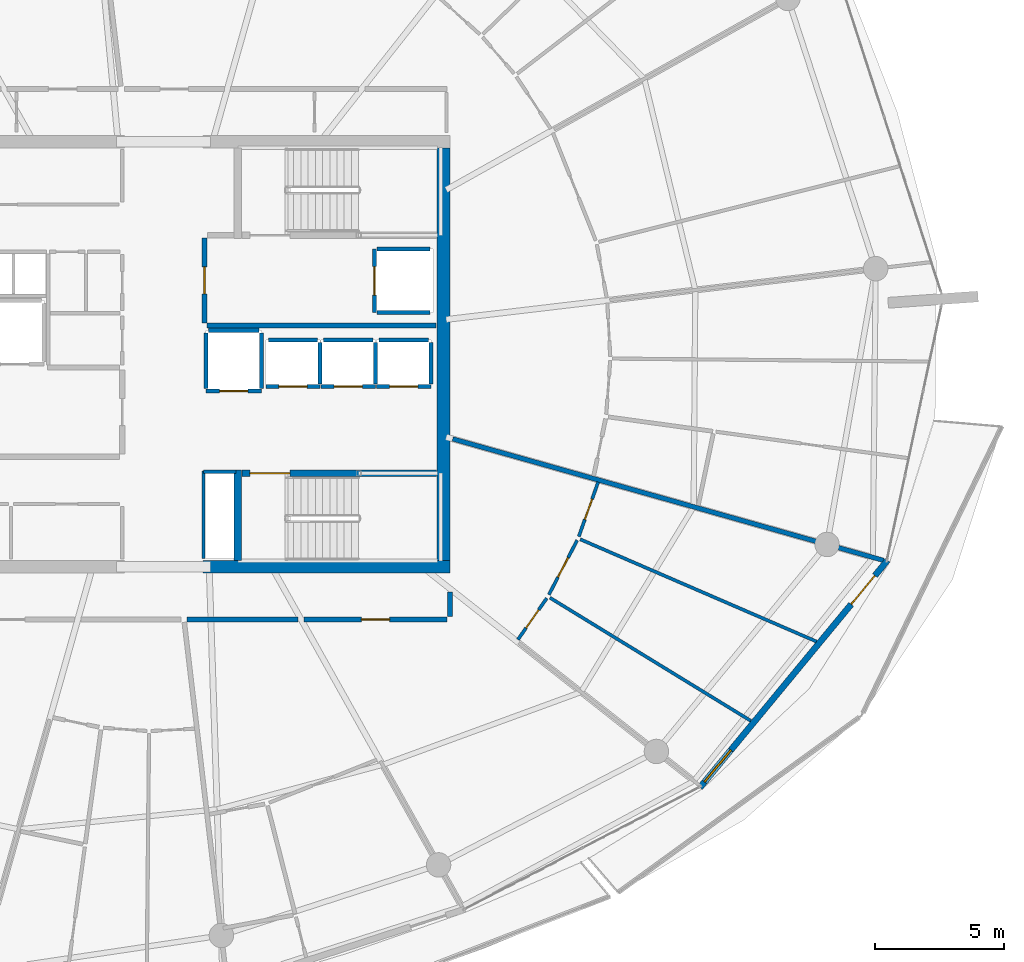
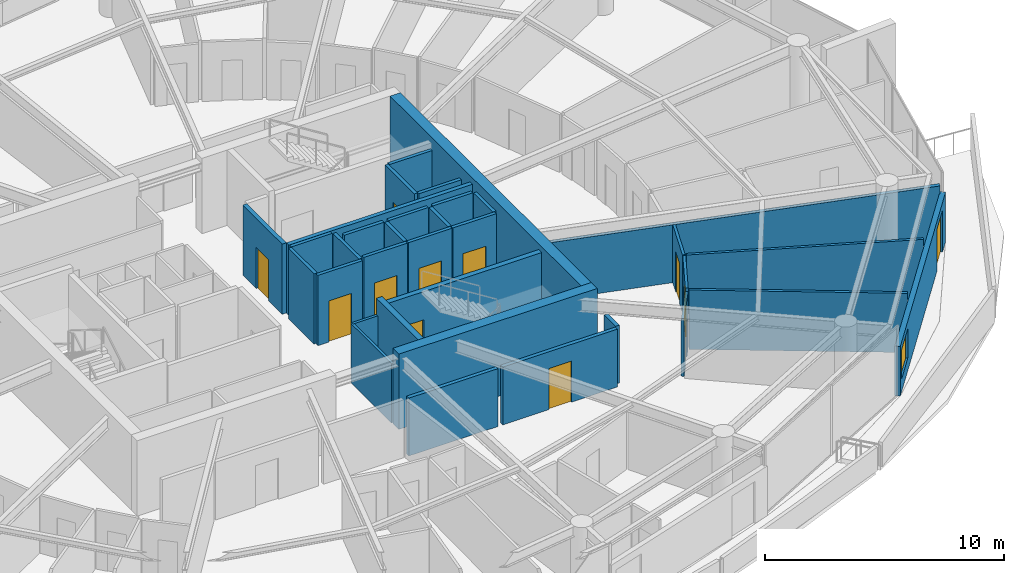
# One storey, part 20 of 31: 34 walls, 12 doors, 1 window, 13 openings.
"""IFC4 building model written with IfcOpenShell, lengths in metres."""

from ifc_helpers import new_model, si_unit, direction, frame, frame_2d, origin, place, context, subcontext, project, spatial, rectangle, extrude, material, layer, layer_set, type_object, element, fill, save


model = new_model("IFC4")

# Units and contexts
model_context = context("Model", 3, precision=1e-05, world=origin(), true_north=direction((0.0, 1.0)))
body_context = subcontext(model_context, "Body", "Model", "MODEL_VIEW")
ifc_project = project(units=[si_unit("LENGTHUNIT", "METRE"), si_unit("AREAUNIT", "SQUARE_METRE"), si_unit("VOLUMEUNIT", "CUBIC_METRE"), si_unit("PLANEANGLEUNIT", "RADIAN"), si_unit("MASSUNIT", "GRAM", prefix="KILO")], contexts=[model_context])

# Site, building, storey
site_placement = place(None, origin())
site = spatial("IfcSite", under=ifc_project, at=site_placement, CompositionType="ELEMENT")
building_placement = place(site_placement, origin())
building = spatial("IfcBuilding", under=site, at=building_placement, Name="Kazma Halo Residences", CompositionType="ELEMENT")
storey_placement = place(building_placement, frame((0.0, 0.0, 275.199951171875)))
storey = spatial("IfcBuildingStorey", under=building, at=storey_placement, Name="L69", CompositionType="ELEMENT", Elevation=275.199951171875)

# Walls
ifc_material_1 = material(Name="Concrete C60/75", Category="concrete")
ifc_layer_1 = layer(ifc_material_1, 0.5)
ifc_layer_set_1 = layer_set([ifc_layer_1], Name="Concrete C60/75")
wall_type_1 = type_object("IfcWallType", Name="WL-CORE-500", PredefinedType="SHEAR", material=ifc_layer_set_1)
wall_1_placement = place(storey_placement, frame((49.949951171875, 33.75, 0.0), z_axis=(0.0, 0.0, 1.0), x_axis=(1.0, 0.0, 0.0)))
element("IfcWall", 1, at=wall_1_placement, inside=storey, type_object=wall_type_1, Name="L69 central core shear wall SE", PredefinedType="SHEAR", context=body_context, shape_type="SweptSolid", body=[
    extrude(rectangle(XDim=9.60009765625, YDim=0.5, at=frame_2d((4.800048828125, 0.0))), origin(), (0.0, 0.0, 1.0), 3.85009765625),
])
wall_2_placement = place(storey_placement, frame((59.300048828125, 34.0, 0.0), z_axis=(0.0, 0.0, 1.0), x_axis=(0.0, 1.0, 0.0)))
element("IfcWall", 2, at=wall_2_placement, inside=storey, type_object=wall_type_1, Name="L69 central core shear wall E", PredefinedType="SHEAR", context=body_context, shape_type="SweptSolid", body=[
    extrude(rectangle(XDim=16.0, YDim=0.5, at=frame_2d((8.0, 0.0))), origin(), (0.0, 0.0, 1.0), 3.85009765625),
])
ifc_layer_2 = layer(ifc_material_1, 0.280029296875)
ifc_layer_set_2 = layer_set([ifc_layer_2], Name="Concrete C60/75")
wall_type_2 = type_object("IfcWallType", Name="WL-CORE-ST-280", PredefinedType="SHEAR", material=ifc_layer_set_2)
wall_3_placement = place(storey_placement, frame((51.31005859375, 34.0, 0.0), z_axis=(0.0, 0.0, 1.0), x_axis=(0.0, 1.0, 0.0)))
element("IfcWall", 3, at=wall_3_placement, inside=storey, type_object=wall_type_2, Name="L69 stairwell bearing wall ST03-W", PredefinedType="SHEAR", context=body_context, shape_type="SweptSolid", body=[
    extrude(rectangle(XDim=3.5, YDim=0.280029296875, at=frame_2d((1.75, 0.0))), origin(), (0.0, 0.0, 1.0), 3.85009765625),
])
ifc_material_2 = material(Name="Acoustic Twin-Stud Gypsum")
ifc_layer_3 = layer(ifc_material_2, 0.179931640625)
ifc_layer_set_3 = layer_set([ifc_layer_3], Name="Acoustic Twin-Stud Gypsum")
wall_type_3 = type_object("IfcWallType", Name="WL-DEM-180", PredefinedType="PARTITIONING", material=ifc_layer_set_3)
wall_4_placement = place(storey_placement, frame((59.656005859375, 38.712646484375, 0.0), z_axis=(0.0, 0.0, 1.0), x_axis=(0.962454756022, -0.27144215334, 0.0)))
element("IfcWall", 4, at=wall_4_placement, inside=storey, type_object=wall_type_3, Name="L69 apartment demising radial wall 14", PredefinedType="PARTITIONING", context=body_context, shape_type="SweptSolid", body=[
    extrude(rectangle(XDim=17.385009765625, YDim=0.179931640625, at=frame_2d((8.6923828125, 0.0))), origin(), (0.0, 0.0, 1.0), 2.95703125),
])

# Wall, opening, door
wall_5_placement = place(storey_placement, frame((53.88818359375, 31.699951171875, 0.0), z_axis=(0.0, 0.0, 1.0), x_axis=(1.0, 0.0, 0.0)))
wall_5 = element("IfcWall", 5, at=wall_5_placement, inside=storey, type_object=wall_type_3, Name="L69 Apartment 3 entrance corridor wall", PredefinedType="PARTITIONING", context=body_context, shape_type="SweptSolid", body=[
    extrude(rectangle(XDim=5.541748046875, YDim=0.179931640625, at=frame_2d((2.77099609375, 0.0))), origin(), (0.0, 0.0, 1.0), 2.95703125),
])
opening_1_placement = place(wall_5_placement, frame((2.220703125, 0.0, 0.0)))
opening_1 = element("IfcOpeningElement", 6, at=opening_1_placement, cuts=wall_5, Name="Opening DA-1100", PredefinedType="OPENING", context=body_context, shape_type="SweptSolid", body=[
    extrude(rectangle(XDim=1.10009765625, YDim=2.10009765625, at=frame_2d((0.550048828125, 1.050048828125))), frame((0.0, 0.099853515625, 0.0), z_axis=(0.0, -1.0, 0.0), x_axis=(1.0, 0.0, 0.0)), (0.0, 0.0, 1.0), 0.199951171875),
])
ifc_material_3 = material(Name="Acoustic Walnut Fire Leaf")
door_type_1 = type_object("IfcDoorType", Name="DR-FD60-1100", OperationType="NOTDEFINED", PredefinedType="DOOR", material=ifc_material_3)
door_1_placement = place(opening_1_placement, origin())
door_1 = element("IfcDoor", 7, at=door_1_placement, inside=storey, type_object=door_type_1, Name="L69 Apartment 3 entrance fire door", OperationType="SINGLE_SWING_LEFT", OverallHeight=2.10009765625, OverallWidth=1.10009765625, PredefinedType="DOOR", context=body_context, shape_type="SweptSolid", body=[
    extrude(rectangle(XDim=1.10009765625, YDim=2.10009765625, at=frame_2d((0.550048828125, 1.050048828125))), frame((0.0, 0.02490234375, 0.0), z_axis=(0.0, -1.0, 0.0), x_axis=(1.0, 0.0, 0.0)), (0.0, 0.0, 1.0), 0.050048828125),
])
fill(opening_1, door_1)

# Walls
wall_6_placement = place(storey_placement, frame((59.550048828125, 31.820068359375, 0.0), z_axis=(0.0, 0.0, 1.0), x_axis=(0.0, 1.0, 0.0)))
element("IfcWall", 8, at=wall_6_placement, inside=storey, type_object=wall_type_3, Name="L69 Apartment 3 entrance corridor wall", PredefinedType="PARTITIONING", context=body_context, shape_type="SweptSolid", body=[
    extrude(rectangle(XDim=0.95458984375, YDim=0.179931640625, at=frame_2d((0.477294921875, 0.0))), origin(), (0.0, 0.0, 1.0), 2.95703125),
])
wall_7_placement = place(storey_placement, frame((49.339111328125, 31.699951171875, 0.0), z_axis=(0.0, 0.0, 1.0), x_axis=(1.0, 0.0, 0.0)))
element("IfcWall", 9, at=wall_7_placement, inside=storey, type_object=wall_type_3, Name="L69 Apartment 3 inner wall 11", PredefinedType="PARTITIONING", context=body_context, shape_type="SweptSolid", body=[
    extrude(rectangle(XDim=4.30908203125, YDim=0.179931640625, at=frame_2d((2.154541015625, 0.0))), origin(), (0.0, 0.0, 1.0), 2.95703125),
])

# Wall, openings, door, window
ifc_material_4 = material(Name="Insulated Pale-Metal Composite Wall")
ifc_layer_4 = layer(ifc_material_4, 0.239990234375)
ifc_layer_set_4 = layer_set([ifc_layer_4], Name="Insulated Pale-Metal Composite Wall")
wall_type_4 = type_object("IfcWallType", Name="WL-EXT-HOST-240", PredefinedType="SOLIDWALL", material=ifc_layer_set_4)
wall_8_placement = place(storey_placement, frame((69.2578125, 25.177978515625, 0.0), z_axis=(0.0, 0.0, 1.0), x_axis=(0.636680093065, 0.771128043255, 0.0)))
wall_8 = element("IfcWall", 10, at=wall_8_placement, inside=storey, type_object=wall_type_4, Name="L69 exterior terrace-access wall B14", PredefinedType="SOLIDWALL", context=body_context, shape_type="SweptSolid", body=[
    extrude(rectangle(XDim=11.438232421875, YDim=0.239990234375, at=frame_2d((5.71923828125, 0.0))), origin(), (0.0, 0.0, 1.0), 2.5400390625),
])
opening_2_placement = place(wall_8_placement, frame((9.21826171875, 0.0, 0.0)))
opening_2 = element("IfcOpeningElement", 11, at=opening_2_placement, cuts=wall_8, Name="Opening DTR-1600", PredefinedType="OPENING", context=body_context, shape_type="SweptSolid", body=[
    extrude(rectangle(XDim=1.449951171875, YDim=2.14990234375, at=frame_2d((0.72509765625, 1.074951171875))), frame((0.0, 0.1298828125, 0.0), z_axis=(0.0, -1.0, 0.0), x_axis=(1.0, 0.0, 0.0)), (0.0, 0.0, 1.0), 0.260009765625),
])
opening_3_placement = place(wall_8_placement, frame((0.280029296875, 0.0, 0.64990234375)))
opening_3 = element("IfcOpeningElement", 12, at=opening_3_placement, cuts=wall_8, Name="Opening W-1800", PredefinedType="OPENING", context=body_context, shape_type="SweptSolid", body=[
    extrude(rectangle(XDim=1.60009765625, YDim=1.5, at=frame_2d((0.800048828125, 0.75))), frame((0.0, 0.1298828125, 0.0), z_axis=(0.0, -1.0, 0.0), x_axis=(1.0, 0.0, 0.0)), (0.0, 0.0, 1.0), 0.260009765625),
])
ifc_material_5 = material(Name="Aluminium AW-6063 T6 Double-Glazed Terrace Door", Category="aluminium")
door_type_2 = type_object("IfcDoorType", Name="DR-EXT-TERR-1600", OperationType="NOTDEFINED", PredefinedType="DOOR", material=ifc_material_5)
door_2_placement = place(opening_2_placement, origin())
door_2 = element("IfcDoor", 13, at=door_2_placement, inside=storey, type_object=door_type_2, Name="L69 B14 balcony terrace door", OperationType="DOUBLE_DOOR_SLIDING", OverallHeight=2.14990234375, OverallWidth=1.449951171875, PredefinedType="DOOR", context=body_context, shape_type="SweptSolid", body=[
    extrude(rectangle(XDim=1.449951171875, YDim=2.14990234375, at=frame_2d((0.72509765625, 1.074951171875))), frame((0.0, 0.02490234375, 0.0), z_axis=(0.0, -1.0, 0.0), x_axis=(1.0, 0.0, 0.0)), (0.0, 0.0, 1.0), 0.050048828125),
])
fill(opening_2, door_2)
ifc_material_6 = material(Name="Clear Triple-Silver Low-E Glass in Aluminium AW-6063 T6 Frame", Category="aluminium")
window_type = type_object("IfcWindowType", Name="WIN-RES-1800", PartitioningType="DOUBLE_PANEL_VERTICAL", PredefinedType="WINDOW", material=ifc_material_6)
window_placement = place(opening_3_placement, origin())
window = element("IfcWindow", 14, at=window_placement, inside=storey, type_object=window_type, Name="L69 B14 apartment window", OverallHeight=1.5, OverallWidth=1.60009765625, PartitioningType="SINGLE_PANEL", PredefinedType="WINDOW", context=body_context, shape_type="SweptSolid", body=[
    extrude(rectangle(XDim=1.60009765625, YDim=1.5, at=frame_2d((0.800048828125, 0.75))), frame((0.0, 0.030029296875, 0.0), z_axis=(0.0, -1.0, 0.0), x_axis=(1.0, 0.0, 0.0)), (0.0, 0.0, 1.0), 0.06005859375),
])
fill(opening_3, window)

# Wall, opening, door
ifc_material_7 = material(Name="Fire-Rated Blockwork Masonry", Category="masonry")
ifc_layer_5 = layer(ifc_material_7, 0.199951171875)
ifc_layer_set_5 = layer_set([ifc_layer_5], Name="Fire-Rated Blockwork Masonry")
wall_type_5 = type_object("IfcWallType", Name="WL-FLB-200", PredefinedType="PARTITIONING", material=ifc_layer_set_5)
wall_9_placement = place(storey_placement, frame((54.5048828125, 40.7451171875, 0.0), z_axis=(0.0, 0.0, 1.0), x_axis=(-1.0, 0.0, 0.0)))
wall_9 = element("IfcWall", 15, at=wall_9_placement, inside=storey, type_object=wall_type_5, Name="L69 lift shaft PH-01 front wall", PredefinedType="PARTITIONING", context=body_context, shape_type="SweptSolid", body=[
    extrude(rectangle(XDim=2.10986328125, YDim=0.159912109375, at=frame_2d((1.054931640625, 0.0))), origin(), (0.0, 0.0, 1.0), 3.590087890625),
])
opening_4_placement = place(wall_9_placement, frame((0.5048828125, 0.0, 0.0)))
opening_4 = element("IfcOpeningElement", 16, at=opening_4_placement, cuts=wall_9, Name="Opening LD-PH-01", PredefinedType="OPENING", context=body_context, shape_type="SweptSolid", body=[
    extrude(rectangle(XDim=1.10009765625, YDim=2.10009765625, at=frame_2d((0.550048828125, 1.050048828125))), frame((0.0, 0.08984375, 0.0), z_axis=(0.0, -1.0, 0.0), x_axis=(1.0, 0.0, 0.0)), (0.0, 0.0, 1.0), 0.179931640625),
])
ifc_material_8 = material(Name="Stainless Steel Fire-Rated", Category="steel")
door_type_3 = type_object("IfcDoorType", Name="DR-LIFT-SLD-1100", OperationType="DOUBLE_DOOR_SLIDING", PredefinedType="DOOR", material=ifc_material_8)
door_3_placement = place(opening_4_placement, origin())
door_3 = element("IfcDoor", 17, at=door_3_placement, inside=storey, type_object=door_type_3, Name="L69 lift PH-01 sliding landing door", OperationType="DOUBLE_DOOR_SLIDING", OverallHeight=2.10009765625, OverallWidth=1.10009765625, PredefinedType="DOOR", context=body_context, shape_type="SweptSolid", body=[
    extrude(rectangle(XDim=1.10009765625, YDim=2.10009765625, at=frame_2d((0.550048828125, 1.050048828125))), frame((0.0, 0.02490234375, 0.0), z_axis=(0.0, -1.0, 0.0), x_axis=(1.0, 0.0, 0.0)), (0.0, 0.0, 1.0), 0.050048828125),
])
fill(opening_4, door_3)

# Walls
wall_10_placement = place(storey_placement, frame((54.5048828125, 40.844970703125, 0.0), z_axis=(0.0, 0.0, 1.0), x_axis=(0.0, 1.0, 0.0)))
element("IfcWall", 18, at=wall_10_placement, inside=storey, type_object=wall_type_5, Name="L69 lift shaft PH-01 side wall E", PredefinedType="PARTITIONING", context=body_context, shape_type="SweptSolid", body=[
    extrude(rectangle(XDim=1.610107421875, YDim=0.159912109375, at=frame_2d((0.80517578125, 0.0))), origin(), (0.0, 0.0, 1.0), 3.590087890625),
])
wall_11_placement = place(storey_placement, frame((52.4951171875, 42.554931640625, 0.0), z_axis=(0.0, 0.0, 1.0), x_axis=(1.0, 0.0, 0.0)))
element("IfcWall", 19, at=wall_11_placement, inside=storey, type_object=wall_type_5, Name="L69 lift shaft PH-01 side wall N", PredefinedType="PARTITIONING", context=body_context, shape_type="SweptSolid", body=[
    extrude(rectangle(XDim=1.909912109375, YDim=0.159912109375, at=frame_2d((0.955078125, 0.0))), origin(), (0.0, 0.0, 1.0), 3.590087890625),
])

# Wall, opening, door
wall_12_placement = place(storey_placement, frame((56.655029296875, 40.7451171875, 0.0), z_axis=(0.0, 0.0, 1.0), x_axis=(-1.0, 0.0, 0.0)))
wall_12 = element("IfcWall", 20, at=wall_12_placement, inside=storey, type_object=wall_type_5, Name="L69 lift shaft PH-02 front wall", PredefinedType="PARTITIONING", context=body_context, shape_type="SweptSolid", body=[
    extrude(rectangle(XDim=2.110107421875, YDim=0.159912109375, at=frame_2d((1.05517578125, 0.0))), origin(), (0.0, 0.0, 1.0), 3.590087890625),
])
opening_5_placement = place(wall_12_placement, frame((0.5048828125, 0.0, 0.0)))
opening_5 = element("IfcOpeningElement", 21, at=opening_5_placement, cuts=wall_12, Name="Opening LD-PH-02", PredefinedType="OPENING", context=body_context, shape_type="SweptSolid", body=[
    extrude(rectangle(XDim=1.10009765625, YDim=2.10009765625, at=frame_2d((0.550048828125, 1.050048828125))), frame((0.0, 0.08984375, 0.0), z_axis=(0.0, -1.0, 0.0), x_axis=(1.0, 0.0, 0.0)), (0.0, 0.0, 1.0), 0.179931640625),
])
door_4_placement = place(opening_5_placement, origin())
door_4 = element("IfcDoor", 22, at=door_4_placement, inside=storey, type_object=door_type_3, Name="L69 lift PH-02 sliding landing door", OperationType="DOUBLE_DOOR_SLIDING", OverallHeight=2.10009765625, OverallWidth=1.10009765625, PredefinedType="DOOR", context=body_context, shape_type="SweptSolid", body=[
    extrude(rectangle(XDim=1.10009765625, YDim=2.10009765625, at=frame_2d((0.550048828125, 1.050048828125))), frame((0.0, 0.02490234375, 0.0), z_axis=(0.0, -1.0, 0.0), x_axis=(1.0, 0.0, 0.0)), (0.0, 0.0, 1.0), 0.050048828125),
])
fill(opening_5, door_4)

# Walls
wall_13_placement = place(storey_placement, frame((56.655029296875, 40.844970703125, 0.0), z_axis=(0.0, 0.0, 1.0), x_axis=(0.0, 1.0, 0.0)))
element("IfcWall", 23, at=wall_13_placement, inside=storey, type_object=wall_type_5, Name="L69 lift shaft PH-02 side wall E", PredefinedType="PARTITIONING", context=body_context, shape_type="SweptSolid", body=[
    extrude(rectangle(XDim=1.610107421875, YDim=0.159912109375, at=frame_2d((0.80517578125, 0.0))), origin(), (0.0, 0.0, 1.0), 3.590087890625),
])
wall_14_placement = place(storey_placement, frame((54.64501953125, 42.554931640625, 0.0), z_axis=(0.0, 0.0, 1.0), x_axis=(1.0, 0.0, 0.0)))
element("IfcWall", 24, at=wall_14_placement, inside=storey, type_object=wall_type_5, Name="L69 lift shaft PH-02 side wall N", PredefinedType="PARTITIONING", context=body_context, shape_type="SweptSolid", body=[
    extrude(rectangle(XDim=1.909912109375, YDim=0.159912109375, at=frame_2d((0.955078125, 0.0))), origin(), (0.0, 0.0, 1.0), 3.590087890625),
])

# Wall, opening, door
wall_15_placement = place(storey_placement, frame((58.804931640625, 40.7451171875, 0.0), z_axis=(0.0, 0.0, 1.0), x_axis=(-1.0, 0.0, 0.0)))
wall_15 = element("IfcWall", 25, at=wall_15_placement, inside=storey, type_object=wall_type_5, Name="L69 lift shaft PH-03 front wall", PredefinedType="PARTITIONING", context=body_context, shape_type="SweptSolid", body=[
    extrude(rectangle(XDim=2.10986328125, YDim=0.159912109375, at=frame_2d((1.054931640625, 0.0))), origin(), (0.0, 0.0, 1.0), 3.590087890625),
])
opening_6_placement = place(wall_15_placement, frame((0.5048828125, 0.0, 0.0)))
opening_6 = element("IfcOpeningElement", 26, at=opening_6_placement, cuts=wall_15, Name="Opening LD-PH-03", PredefinedType="OPENING", context=body_context, shape_type="SweptSolid", body=[
    extrude(rectangle(XDim=1.10009765625, YDim=2.10009765625, at=frame_2d((0.550048828125, 1.050048828125))), frame((0.0, 0.08984375, 0.0), z_axis=(0.0, -1.0, 0.0), x_axis=(1.0, 0.0, 0.0)), (0.0, 0.0, 1.0), 0.179931640625),
])
door_5_placement = place(opening_6_placement, origin())
door_5 = element("IfcDoor", 27, at=door_5_placement, inside=storey, type_object=door_type_3, Name="L69 lift PH-03 sliding landing door", OperationType="DOUBLE_DOOR_SLIDING", OverallHeight=2.10009765625, OverallWidth=1.10009765625, PredefinedType="DOOR", context=body_context, shape_type="SweptSolid", body=[
    extrude(rectangle(XDim=1.10009765625, YDim=2.10009765625, at=frame_2d((0.550048828125, 1.050048828125))), frame((0.0, 0.02490234375, 0.0), z_axis=(0.0, -1.0, 0.0), x_axis=(1.0, 0.0, 0.0)), (0.0, 0.0, 1.0), 0.050048828125),
])
fill(opening_6, door_5)

# Walls
wall_16_placement = place(storey_placement, frame((58.804931640625, 40.844970703125, 0.0), z_axis=(0.0, 0.0, 1.0), x_axis=(0.0, 1.0, 0.0)))
element("IfcWall", 28, at=wall_16_placement, inside=storey, type_object=wall_type_5, Name="L69 lift shaft PH-03 side wall E", PredefinedType="PARTITIONING", context=body_context, shape_type="SweptSolid", body=[
    extrude(rectangle(XDim=1.610107421875, YDim=0.159912109375, at=frame_2d((0.80517578125, 0.0))), origin(), (0.0, 0.0, 1.0), 3.590087890625),
])
wall_17_placement = place(storey_placement, frame((56.794921875, 42.554931640625, 0.0), z_axis=(0.0, 0.0, 1.0), x_axis=(1.0, 0.0, 0.0)))
element("IfcWall", 29, at=wall_17_placement, inside=storey, type_object=wall_type_5, Name="L69 lift shaft PH-03 side wall N", PredefinedType="PARTITIONING", context=body_context, shape_type="SweptSolid", body=[
    extrude(rectangle(XDim=1.91015625, YDim=0.159912109375, at=frame_2d((0.955078125, 0.0))), origin(), (0.0, 0.0, 1.0), 3.590087890625),
])

# Wall, opening, door
wall_18_placement = place(storey_placement, frame((56.6201171875, 46.080078125, 0.0), z_axis=(0.0, 0.0, 1.0), x_axis=(0.0, -1.0, 0.0)))
wall_18 = element("IfcWall", 30, at=wall_18_placement, inside=storey, type_object=wall_type_5, Name="L69 lift shaft FL-02 front wall", PredefinedType="PARTITIONING", context=body_context, shape_type="SweptSolid", body=[
    extrude(rectangle(XDim=2.4599609375, YDim=0.159912109375, at=frame_2d((1.22998046875, 0.0))), origin(), (0.0, 0.0, 1.0), 3.590087890625),
])
opening_7_placement = place(wall_18_placement, frame((0.679931640625, 0.0, 0.0)))
opening_7 = element("IfcOpeningElement", 31, at=opening_7_placement, cuts=wall_18, Name="Opening LD-FL-02", PredefinedType="OPENING", context=body_context, shape_type="SweptSolid", body=[
    extrude(rectangle(XDim=1.10009765625, YDim=2.10009765625, at=frame_2d((0.550048828125, 1.050048828125))), frame((0.0, 0.08984375, 0.0), z_axis=(0.0, -1.0, 0.0), x_axis=(1.0, 0.0, 0.0)), (0.0, 0.0, 1.0), 0.179931640625),
])
door_6_placement = place(opening_7_placement, origin())
door_6 = element("IfcDoor", 32, at=door_6_placement, inside=storey, type_object=door_type_3, Name="L69 lift FL-02 sliding landing door", OperationType="DOUBLE_DOOR_SLIDING", OverallHeight=2.10009765625, OverallWidth=1.10009765625, PredefinedType="DOOR", context=body_context, shape_type="SweptSolid", body=[
    extrude(rectangle(XDim=1.10009765625, YDim=2.10009765625, at=frame_2d((0.550048828125, 1.050048828125))), frame((0.0, 0.02490234375, 0.0), z_axis=(0.0, -1.0, 0.0), x_axis=(1.0, 0.0, 0.0)), (0.0, 0.0, 1.0), 0.050048828125),
])
fill(opening_7, door_6)

# Walls
for number, where, z_axis, x_axis, name in (
    (33, (56.719970703125, 46.080078125, 0.0), (0.0, 0.0, 1.0), (1.0, 0.0, 0.0), "L69 lift shaft FL-02 side wall N"),
    (34, (56.719970703125, 43.6201171875, 0.0), (0.0, 0.0, 1.0), (1.0, 0.0, 0.0), "L69 lift shaft FL-02 side wall S"),
):
    element("IfcWall", number, at=place(storey_placement, frame(where, z_axis=z_axis, x_axis=x_axis)), inside=storey, type_object=wall_type_5, Name=name, PredefinedType="PARTITIONING", context=body_context, shape_type="SweptSolid", body=[
        extrude(rectangle(XDim=2.06005859375, YDim=0.159912109375, at=frame_2d((1.030029296875, 0.0))), origin(), (0.0, 0.0, 1.0), 3.590087890625),
    ])

# Wall, opening, door
wall_19_placement = place(storey_placement, frame((52.22998046875, 40.570068359375, 0.0), z_axis=(0.0, 0.0, 1.0), x_axis=(-1.0, 0.0, 0.0)))
wall_19 = element("IfcWall", 35, at=wall_19_placement, inside=storey, type_object=wall_type_5, Name="L69 lift shaft SV-01 front wall", PredefinedType="PARTITIONING", context=body_context, shape_type="SweptSolid", body=[
    extrude(rectangle(XDim=2.159912109375, YDim=0.159912109375, at=frame_2d((1.080078125, 0.0))), origin(), (0.0, 0.0, 1.0), 3.590087890625),
])
opening_8_placement = place(wall_19_placement, frame((0.530029296875, 0.0, 0.0)))
opening_8 = element("IfcOpeningElement", 36, at=opening_8_placement, cuts=wall_19, Name="Opening LD-SV-01", PredefinedType="OPENING", context=body_context, shape_type="SweptSolid", body=[
    extrude(rectangle(XDim=1.10009765625, YDim=2.10009765625, at=frame_2d((0.550048828125, 1.050048828125))), frame((0.0, 0.08984375, 0.0), z_axis=(0.0, -1.0, 0.0), x_axis=(1.0, 0.0, 0.0)), (0.0, 0.0, 1.0), 0.179931640625),
])
door_7_placement = place(opening_8_placement, origin())
door_7 = element("IfcDoor", 37, at=door_7_placement, inside=storey, type_object=door_type_3, Name="L69 lift SV-01 sliding landing door", OperationType="DOUBLE_DOOR_SLIDING", OverallHeight=2.10009765625, OverallWidth=1.10009765625, PredefinedType="DOOR", context=body_context, shape_type="SweptSolid", body=[
    extrude(rectangle(XDim=1.10009765625, YDim=2.10009765625, at=frame_2d((0.550048828125, 1.050048828125))), frame((0.0, 0.02490234375, 0.0), z_axis=(0.0, -1.0, 0.0), x_axis=(1.0, 0.0, 0.0)), (0.0, 0.0, 1.0), 0.050048828125),
])
fill(opening_8, door_7)

# Walls
for number, where, z_axis, x_axis, name in (
    (38, (52.22998046875, 40.669921875, 0.0), (0.0, 0.0, 1.0), (0.0, 1.0, 0.0), "L69 lift shaft SV-01 side wall E"),
    (39, (50.070068359375, 40.669921875, 0.0), (0.0, 0.0, 1.0), (0.0, 1.0, 0.0), "L69 lift shaft SV-01 side wall W"),
):
    element("IfcWall", number, at=place(storey_placement, frame(where, z_axis=z_axis, x_axis=x_axis)), inside=storey, type_object=wall_type_5, Name=name, PredefinedType="PARTITIONING", context=body_context, shape_type="SweptSolid", body=[
        extrude(rectangle(XDim=2.16015625, YDim=0.159912109375, at=frame_2d((1.080078125, 0.0))), origin(), (0.0, 0.0, 1.0), 3.590087890625),
    ])
wall_20_placement = place(storey_placement, frame((50.169921875, 42.929931640625, 0.0), z_axis=(0.0, 0.0, 1.0), x_axis=(1.0, 0.0, 0.0)))
element("IfcWall", 40, at=wall_20_placement, inside=storey, type_object=wall_type_5, Name="L69 lift shaft SV-01 side wall N", PredefinedType="PARTITIONING", context=body_context, shape_type="SweptSolid", body=[
    extrude(rectangle(XDim=1.9599609375, YDim=0.159912109375, at=frame_2d((0.97998046875, 0.0))), origin(), (0.0, 0.0, 1.0), 3.590087890625),
])
wall_21_placement = place(storey_placement, frame((50.1201171875, 43.1201171875, 0.0), z_axis=(0.0, 0.0, 1.0), x_axis=(1.0, 0.0, 0.0)))
element("IfcWall", 41, at=wall_21_placement, inside=storey, type_object=wall_type_5, Name="L69 east firefighting lobby south smoke wall", PredefinedType="PARTITIONING", context=body_context, shape_type="SweptSolid", body=[
    extrude(rectangle(XDim=8.8798828125, YDim=0.199951171875, at=frame_2d((4.43994140625, 0.0))), origin(), (0.0, 0.0, 1.0), 3.590087890625),
])

# Wall, opening, door
wall_22_placement = place(storey_placement, frame((50.02001953125, 43.219970703125, 0.0), z_axis=(0.0, 0.0, 1.0), x_axis=(0.0, 1.0, 0.0)))
wall_22 = element("IfcWall", 42, at=wall_22_placement, inside=storey, type_object=wall_type_5, Name="L69 east firefighting lobby smoke wall", PredefinedType="PARTITIONING", context=body_context, shape_type="SweptSolid", body=[
    extrude(rectangle(XDim=3.300048828125, YDim=0.199951171875, at=frame_2d((1.64990234375, 0.0))), origin(), (0.0, 0.0, 1.0), 3.590087890625),
])
opening_9_placement = place(wall_22_placement, frame((1.125, 0.0, 0.0)))
opening_9 = element("IfcOpeningElement", 43, at=opening_9_placement, cuts=wall_22, Name="Opening D-FLE", PredefinedType="OPENING", context=body_context, shape_type="SweptSolid", body=[
    extrude(rectangle(XDim=1.050048828125, YDim=2.10009765625, at=frame_2d((0.52490234375, 1.050048828125))), frame((0.0, 0.10986328125, 0.0), z_axis=(0.0, -1.0, 0.0), x_axis=(1.0, 0.0, 0.0)), (0.0, 0.0, 1.0), 0.219970703125),
])
ifc_material_9 = material(Name="Fire-Rated Steel Leaf", Category="steel")
door_type_4 = type_object("IfcDoorType", Name="DR-FD90-1050", OperationType="NOTDEFINED", PredefinedType="DOOR", material=ifc_material_9)
door_8_placement = place(opening_9_placement, origin())
door_8 = element("IfcDoor", 44, at=door_8_placement, inside=storey, type_object=door_type_4, Name="L69 east firefighting lobby smoke door", OperationType="SINGLE_SWING_LEFT", OverallHeight=2.10009765625, OverallWidth=1.050048828125, PredefinedType="DOOR", context=body_context, shape_type="SweptSolid", body=[
    extrude(rectangle(XDim=1.050048828125, YDim=2.10009765625, at=frame_2d((0.52490234375, 1.050048828125))), frame((0.0, 0.02490234375, 0.0), z_axis=(0.0, -1.0, 0.0), x_axis=(1.0, 0.0, 0.0)), (0.0, 0.0, 1.0), 0.050048828125),
])
fill(opening_9, door_8)

# Walls
ifc_material_10 = material(Name="Gypsum Plasterboard Partition")
ifc_layer_6 = layer(ifc_material_10, 0.125)
ifc_layer_set_6 = layer_set([ifc_layer_6], Name="Gypsum Plasterboard Partition")
wall_type_6 = type_object("IfcWallType", Name="WL-PART-125", PredefinedType="PARTITIONING", material=ifc_layer_set_6)
wall_23_placement = place(storey_placement, frame((49.97998046875, 34.06005859375, 0.0), z_axis=(0.0, 0.0, 1.0), x_axis=(0.0, 1.0, 0.0)))
element("IfcWall", 45, at=wall_23_placement, inside=storey, type_object=wall_type_6, Name="L69 standpipe riser wall", PredefinedType="PARTITIONING", context=body_context, shape_type="SweptSolid", body=[
    extrude(rectangle(XDim=3.39990234375, YDim=0.125, at=frame_2d((1.699951171875, 0.0))), origin(), (0.0, 0.0, 1.0), 3.030029296875),
])
wall_24_placement = place(storey_placement, frame((49.97998046875, 37.43994140625, 0.0), z_axis=(0.0, 0.0, 1.0), x_axis=(1.0, 0.0, 0.0)))
element("IfcWall", 46, at=wall_24_placement, inside=storey, type_object=wall_type_6, Name="L69 standpipe riser north wall", PredefinedType="PARTITIONING", context=body_context, shape_type="SweptSolid", body=[
    extrude(rectangle(XDim=1.260009765625, YDim=0.125, at=frame_2d((0.6298828125, 0.0))), origin(), (0.0, 0.0, 1.0), 3.030029296875),
])
wall_25_placement = place(storey_placement, frame((63.42919921875, 32.544921875, 0.0), z_axis=(0.0, 0.0, 1.0), x_axis=(0.852634226121, -0.522508254907, 0.0)))
element("IfcWall", 47, at=wall_25_placement, inside=storey, type_object=wall_type_6, Name="L69 Apartment 3 bay wall 1 13", PredefinedType="PARTITIONING", context=body_context, shape_type="SweptSolid", body=[
    extrude(rectangle(XDim=9.151123046875, YDim=0.125, at=frame_2d((4.57568359375, 0.0))), origin(), (0.0, 0.0, 1.0), 3.030029296875),
])
wall_26_placement = place(storey_placement, frame((64.607666015625, 34.813232421875, 0.0), z_axis=(0.0, 0.0, 1.0), x_axis=(0.917754543675, -0.397148080146, 0.0)))
element("IfcWall", 48, at=wall_26_placement, inside=storey, type_object=wall_type_6, Name="L69 Apartment 3 bay wall 2 13", PredefinedType="PARTITIONING", context=body_context, shape_type="SweptSolid", body=[
    extrude(rectangle(XDim=9.994384765625, YDim=0.125, at=frame_2d((4.9970703125, 0.0))), origin(), (0.0, 0.0, 1.0), 3.030029296875),
])

# Wall, opening, door
wall_27_placement = place(storey_placement, frame((62.18603515625, 30.918212890625, 0.0), z_axis=(0.0, 0.0, 1.0), x_axis=(0.571797742108, 0.820394625848, 0.0)))
wall_27 = element("IfcWall", 49, at=wall_27_placement, inside=storey, type_object=wall_type_6, Name="L69 Apartment 3 East Bedroom hall wall", PredefinedType="PARTITIONING", context=body_context, shape_type="SweptSolid", body=[
    extrude(rectangle(XDim=1.960205078125, YDim=0.125, at=frame_2d((0.97998046875, 0.0))), origin(), (0.0, 0.0, 1.0), 2.95703125),
])
opening_10_placement = place(wall_27_placement, frame((0.55517578125, 0.0, 0.0)))
opening_10 = element("IfcOpeningElement", 50, at=opening_10_placement, cuts=wall_27, Name="Opening DB-900", PredefinedType="OPENING", context=body_context, shape_type="SweptSolid", body=[
    extrude(rectangle(XDim=0.85009765625, YDim=2.06005859375, at=frame_2d((0.425048828125, 1.030029296875))), frame((0.0, 0.072509765625, 0.0), z_axis=(0.0, -1.0, 0.0), x_axis=(1.0, 0.0, 0.0)), (0.0, 0.0, 1.0), 0.14501953125),
])
ifc_material_11 = material(Name="Moisture-Sealed Timber Leaf", Category="wood")
door_type_5 = type_object("IfcDoorType", Name="DR-BTH-900", OperationType="NOTDEFINED", PredefinedType="DOOR", material=ifc_material_11)
door_9_placement = place(opening_10_placement, origin())
door_9 = element("IfcDoor", 51, at=door_9_placement, inside=storey, type_object=door_type_5, Name="L69 Apartment 3 East Bedroom door", OperationType="SINGLE_SWING_RIGHT", OverallHeight=2.06005859375, OverallWidth=0.85009765625, PredefinedType="DOOR", context=body_context, shape_type="SweptSolid", body=[
    extrude(rectangle(XDim=0.85009765625, YDim=2.06005859375, at=frame_2d((0.425048828125, 1.030029296875))), frame((0.0, 0.02490234375, 0.0), z_axis=(0.0, -1.0, 0.0), x_axis=(1.0, 0.0, 0.0)), (0.0, 0.0, 1.0), 0.050048828125),
])
fill(opening_10, door_9)

wall_28_placement = place(storey_placement, frame((63.389404296875, 32.662841796875, 0.0), z_axis=(0.0, 0.0, 1.0), x_axis=(0.461007635573, 0.887396168542, 0.0)))
wall_28 = element("IfcWall", 52, at=wall_28_placement, inside=storey, type_object=wall_type_6, Name="L69 Apartment 3 West Dressing Wardrobe hall wall", PredefinedType="PARTITIONING", context=body_context, shape_type="SweptSolid", body=[
    extrude(rectangle(XDim=2.383544921875, YDim=0.125, at=frame_2d((1.19189453125, 0.0))), origin(), (0.0, 0.0, 1.0), 3.030029296875),
])
opening_11_placement = place(wall_28_placement, frame((0.7666015625, 0.0, 0.0)))
opening_11 = element("IfcOpeningElement", 53, at=opening_11_placement, cuts=wall_28, Name="Opening DB-900", PredefinedType="OPENING", context=body_context, shape_type="SweptSolid", body=[
    extrude(rectangle(XDim=0.85009765625, YDim=2.06005859375, at=frame_2d((0.425048828125, 1.030029296875))), frame((0.0, 0.072509765625, 0.0), z_axis=(0.0, -1.0, 0.0), x_axis=(1.0, 0.0, 0.0)), (0.0, 0.0, 1.0), 0.14501953125),
])
door_10_placement = place(opening_11_placement, origin())
door_10 = element("IfcDoor", 54, at=door_10_placement, inside=storey, type_object=door_type_5, Name="L69 Apartment 3 West Dressing Wardrobe door", OperationType="SINGLE_SWING_LEFT", OverallHeight=2.06005859375, OverallWidth=0.85009765625, PredefinedType="DOOR", context=body_context, shape_type="SweptSolid", body=[
    extrude(rectangle(XDim=0.85009765625, YDim=2.06005859375, at=frame_2d((0.425048828125, 1.030029296875))), frame((0.0, 0.02490234375, 0.0), z_axis=(0.0, -1.0, 0.0), x_axis=(1.0, 0.0, 0.0)), (0.0, 0.0, 1.0), 0.050048828125),
])
fill(opening_11, door_10)

wall_29_placement = place(storey_placement, frame((64.552001953125, 34.92431640625, 0.0), z_axis=(0.0, 0.0, 1.0), x_axis=(0.335011815583, 0.942213926569, 0.0)))
wall_29 = element("IfcWall", 55, at=wall_29_placement, inside=storey, type_object=wall_type_6, Name="L69 Apartment 3 North Bedroom hall wall", PredefinedType="PARTITIONING", context=body_context, shape_type="SweptSolid", body=[
    extrude(rectangle(XDim=2.242431640625, YDim=0.125, at=frame_2d((1.12109375, 0.0))), origin(), (0.0, 0.0, 1.0), 2.95703125),
])
opening_12_placement = place(wall_29_placement, frame((0.696044921875, 0.0, 0.0)))
opening_12 = element("IfcOpeningElement", 56, at=opening_12_placement, cuts=wall_29, Name="Opening DB-900", PredefinedType="OPENING", context=body_context, shape_type="SweptSolid", body=[
    extrude(rectangle(XDim=0.85009765625, YDim=2.06005859375, at=frame_2d((0.425048828125, 1.030029296875))), frame((0.0, 0.072509765625, 0.0), z_axis=(0.0, -1.0, 0.0), x_axis=(1.0, 0.0, 0.0)), (0.0, 0.0, 1.0), 0.14501953125),
])
door_11_placement = place(opening_12_placement, origin())
door_11 = element("IfcDoor", 57, at=door_11_placement, inside=storey, type_object=door_type_5, Name="L69 Apartment 3 North Bedroom door", OperationType="SINGLE_SWING_RIGHT", OverallHeight=2.06005859375, OverallWidth=0.85009765625, PredefinedType="DOOR", context=body_context, shape_type="SweptSolid", body=[
    extrude(rectangle(XDim=0.85009765625, YDim=2.06005859375, at=frame_2d((0.425048828125, 1.030029296875))), frame((0.0, 0.02490234375, 0.0), z_axis=(0.0, -1.0, 0.0), x_axis=(1.0, 0.0, 0.0)), (0.0, 0.0, 1.0), 0.050048828125),
])
fill(opening_12, door_11)

ifc_material_12 = material(Name="Concrete C50/60", Category="concrete")
ifc_layer_7 = layer(ifc_material_12, 0.25)
ifc_layer_set_7 = layer_set([ifc_layer_7], Name="Concrete C50/60")
wall_type_7 = type_object("IfcWallType", Name="WL-SHF-250", PredefinedType="SOLIDWALL", material=ifc_layer_set_7)
wall_30_placement = place(storey_placement, frame((51.47998046875, 37.3798828125, 0.0), z_axis=(0.0, 0.0, 1.0), x_axis=(1.0, 0.0, 0.0)))
wall_30 = element("IfcWall", 58, at=wall_30_placement, inside=storey, type_object=wall_type_7, Name="L69 exit stair ST-03 enclosure wall", PredefinedType="SOLIDWALL", context=body_context, shape_type="SweptSolid", body=[
    extrude(rectangle(XDim=7.5400390625, YDim=0.25, at=frame_2d((3.77001953125, 0.0))), origin(), (0.0, 0.0, 1.0), 3.590087890625),
])
opening_13_placement = place(wall_30_placement, frame((0.300048828125, 0.0, 0.0)))
opening_13 = element("IfcOpeningElement", 59, at=opening_13_placement, cuts=wall_30, Name="Opening D-ST3", PredefinedType="OPENING", context=body_context, shape_type="SweptSolid", body=[
    extrude(rectangle(XDim=1.550048828125, YDim=2.14990234375, at=frame_2d((0.77490234375, 1.074951171875))), frame((0.0, 0.135009765625, 0.0), z_axis=(0.0, -1.0, 0.0), x_axis=(1.0, 0.0, 0.0)), (0.0, 0.0, 1.0), 0.27001953125),
])
ifc_material_13 = material(Name="Fire-Rated Double Steel Leaf", Category="steel")
door_type_6 = type_object("IfcDoorType", Name="DR-FD90-1550", OperationType="NOTDEFINED", PredefinedType="DOOR", material=ifc_material_13)
door_12_placement = place(opening_13_placement, origin())
door_12 = element("IfcDoor", 60, at=door_12_placement, inside=storey, type_object=door_type_6, Name="L69 exit stair ST-03 fire door", OperationType="DOUBLE_DOOR_SINGLE_SWING", OverallHeight=2.14990234375, OverallWidth=1.550048828125, PredefinedType="DOOR", context=body_context, shape_type="SweptSolid", body=[
    extrude(rectangle(XDim=1.550048828125, YDim=2.14990234375, at=frame_2d((0.77490234375, 1.074951171875))), frame((0.0, 0.02490234375, 0.0), z_axis=(0.0, -1.0, 0.0), x_axis=(1.0, 0.0, 0.0)), (0.0, 0.0, 1.0), 0.050048828125),
])
fill(opening_13, door_12)

save(model, "model.ifc")
